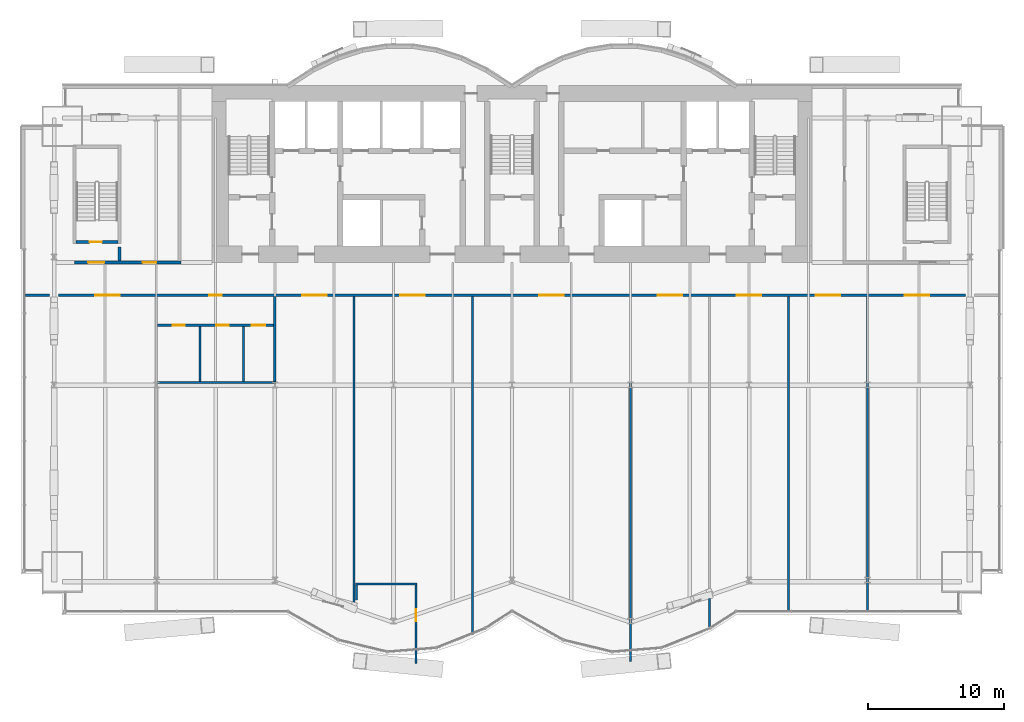
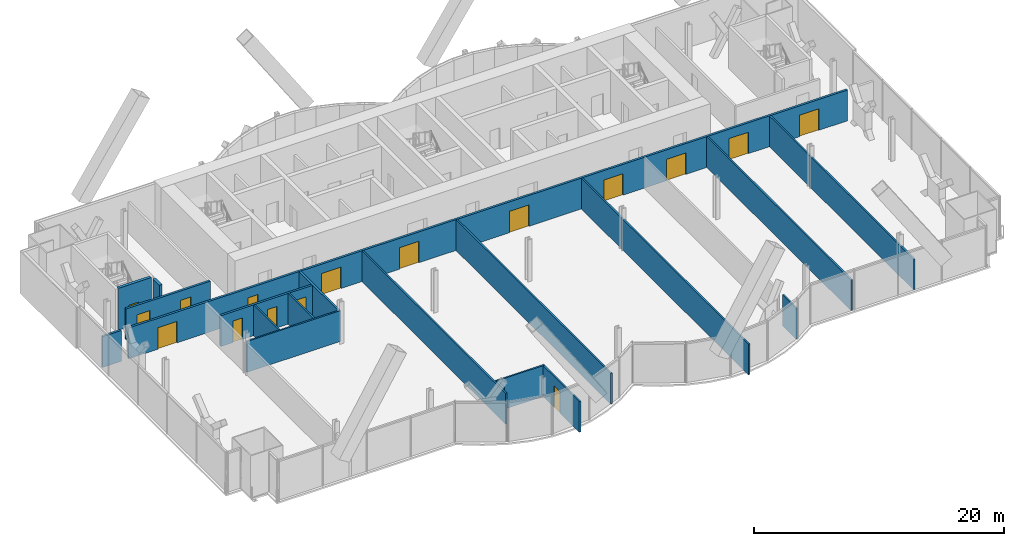
# One storey, part 16 of 22: 19 walls, 16 doors, 16 openings.
"""IFC4 building model written with IfcOpenShell, lengths in metres."""

from ifc_helpers import new_model, si_unit, direction, frame, frame_2d, origin, place, context, subcontext, project, spatial, rectangle, extrude, material, layer, layer_set, type_object, element, fill, save


model = new_model("IFC4")

# Units and contexts
model_context = context("Model", 3, precision=1e-05, world=origin(), true_north=direction((0.0, 1.0)))
body_context = subcontext(model_context, "Body", "Model", "MODEL_VIEW")
ifc_project = project(units=[si_unit("LENGTHUNIT", "METRE"), si_unit("AREAUNIT", "SQUARE_METRE"), si_unit("VOLUMEUNIT", "CUBIC_METRE"), si_unit("PLANEANGLEUNIT", "RADIAN"), si_unit("MASSUNIT", "GRAM", prefix="KILO")], contexts=[model_context])

# Site, building, storey
site_placement = place(None, origin())
site = spatial("IfcSite", under=ifc_project, at=site_placement, CompositionType="ELEMENT")
building_placement = place(site_placement, origin())
building = spatial("IfcBuilding", under=site, at=building_placement, Name="Bicima Exchange Tower", CompositionType="ELEMENT")
storey_placement = place(building_placement, frame((0.0, 0.0, 94.0)))
storey = spatial("IfcBuildingStorey", under=building, at=storey_placement, Name="L19", CompositionType="ELEMENT", Elevation=94.0)

# Wall, openings, doors
ifc_material_1 = material(Name="Gypsum board partition")
ifc_layer_1 = layer(ifc_material_1, 0.199951171875)
ifc_layer_set_1 = layer_set([ifc_layer_1], Name="Gypsum board partition")
wall_type_1 = type_object("IfcWallType", Name="Fire-rated gypsum partition 200 EI60", PredefinedType="PARTITIONING", material=ifc_layer_set_1)
wall_1_placement = place(storey_placement, frame((-26.0, -17.60009765625, 0.0), z_axis=(0.0, 0.0, 1.0), x_axis=(1.0, 0.0, 0.0)))
wall_1 = element("IfcWall", 1, at=wall_1_placement, inside=storey, type_object=wall_type_1, Name="partition wall 3", PredefinedType="PARTITIONING", context=body_context, shape_type="SweptSolid", body=[
    extrude(rectangle(XDim=8.5, YDim=0.199951171875, at=frame_2d((4.25, 0.0))), origin(), (0.0, 0.0, 1.0), 3.018310546875),
])
opening_1_placement = place(wall_1_placement, frame((1.10009765625, 0.0, 0.0)))
opening_1 = element("IfcOpeningElement", 2, at=opening_1_placement, cuts=wall_1, Name="Opening L19-009", PredefinedType="OPENING", context=body_context, shape_type="SweptSolid", body=[
    extrude(rectangle(XDim=0.89990234375, YDim=2.10009765625, at=frame_2d((0.449951171875, 1.050048828125))), frame((0.0, 0.11181640625, 0.0), z_axis=(0.0, -1.0, 0.0), x_axis=(1.0, 0.0, 0.0)), (0.0, 0.0, 1.0), 0.223876953125),
])
opening_2_placement = place(wall_1_placement, frame((4.300048828125, 0.0, 0.0)))
opening_2 = element("IfcOpeningElement", 3, at=opening_2_placement, cuts=wall_1, Name="Opening L19-010", PredefinedType="OPENING", context=body_context, shape_type="SweptSolid", body=[
    extrude(rectangle(XDim=0.89990234375, YDim=2.10009765625, at=frame_2d((0.449951171875, 1.050048828125))), frame((0.0, 0.11181640625, 0.0), z_axis=(0.0, -1.0, 0.0), x_axis=(1.0, 0.0, 0.0)), (0.0, 0.0, 1.0), 0.223876953125),
])
opening_3_placement = place(wall_1_placement, frame((6.89990234375, 0.0, 0.0)))
opening_3 = element("IfcOpeningElement", 4, at=opening_3_placement, cuts=wall_1, Name="Opening L19-011", PredefinedType="OPENING", context=body_context, shape_type="SweptSolid", body=[
    extrude(rectangle(XDim=1.0, YDim=2.10009765625, at=frame_2d((0.5, 1.050048828125))), frame((0.0, 0.11181640625, 0.0), z_axis=(0.0, -1.0, 0.0), x_axis=(1.0, 0.0, 0.0)), (0.0, 0.0, 1.0), 0.223876953125),
])
ifc_material_2 = material(Name="Steel fire door leaf", Category="steel")
door_type_1 = type_object("IfcDoorType", Name="Door 1000 swing FD30S", OperationType="SINGLE_SWING_LEFT", PredefinedType="DOOR", material=ifc_material_2)
door_1_placement = place(opening_3_placement, frame((1.0, 0.0, 0.0), z_axis=(0.0, 0.0, 1.0), x_axis=(-1.0, 0.0, 0.0)))
door_1 = element("IfcDoor", 5, at=door_1_placement, inside=storey, type_object=door_type_1, Name="Door", OperationType="SINGLE_SWING_RIGHT", OverallHeight=2.10009765625, OverallWidth=1.0, PredefinedType="DOOR", context=body_context, shape_type="SweptSolid", body=[
    extrude(rectangle(XDim=1.0, YDim=2.10009765625, at=frame_2d((0.5, 1.050048828125))), frame((0.0, 0.02490234375, 0.0), z_axis=(0.0, -1.0, 0.0), x_axis=(1.0, 0.0, 0.0)), (0.0, 0.0, 1.0), 0.050048828125),
])
fill(opening_3, door_1)
door_type_2 = type_object("IfcDoorType", Name="Door 900 swing FD30S", OperationType="SINGLE_SWING_LEFT", PredefinedType="DOOR", material=ifc_material_2)
door_2_placement = place(opening_1_placement, frame((0.89990234375, 0.0, 0.0), z_axis=(0.0, 0.0, 1.0), x_axis=(-1.0, 0.0, 0.0)))
door_2 = element("IfcDoor", 6, at=door_2_placement, inside=storey, type_object=door_type_2, Name="Door", OperationType="SINGLE_SWING_RIGHT", OverallHeight=2.10009765625, OverallWidth=0.89990234375, PredefinedType="DOOR", context=body_context, shape_type="SweptSolid", body=[
    extrude(rectangle(XDim=0.89990234375, YDim=2.10009765625, at=frame_2d((0.449951171875, 1.050048828125))), frame((0.0, 0.02490234375, 0.0), z_axis=(0.0, -1.0, 0.0), x_axis=(1.0, 0.0, 0.0)), (0.0, 0.0, 1.0), 0.050048828125),
])
fill(opening_1, door_2)
door_3_placement = place(opening_2_placement, frame((0.89990234375, 0.0, 0.0), z_axis=(0.0, 0.0, 1.0), x_axis=(-1.0, 0.0, 0.0)))
door_3 = element("IfcDoor", 7, at=door_3_placement, inside=storey, type_object=door_type_2, Name="Door", OperationType="SINGLE_SWING_LEFT", OverallHeight=2.10009765625, OverallWidth=0.89990234375, PredefinedType="DOOR", context=body_context, shape_type="SweptSolid", body=[
    extrude(rectangle(XDim=0.89990234375, YDim=2.10009765625, at=frame_2d((0.449951171875, 1.050048828125))), frame((0.0, 0.02490234375, 0.0), z_axis=(0.0, -1.0, 0.0), x_axis=(1.0, 0.0, 0.0)), (0.0, 0.0, 1.0), 0.050048828125),
])
fill(opening_2, door_3)

# Wall
wall_2_placement = place(storey_placement, frame((-35.679931640625, -15.39990234375, 0.0), z_axis=(0.0, 0.0, 1.0), x_axis=(1.0, 0.0, 0.0)))
element("IfcWall", 8, at=wall_2_placement, inside=storey, type_object=wall_type_1, Name="partition wall 4", PredefinedType="PARTITIONING", context=body_context, shape_type="SweptSolid", body=[
    extrude(rectangle(XDim=1.75, YDim=0.199951171875, at=frame_2d((0.875, 0.0))), origin(), (0.0, 0.0, 1.0), 3.018310546875),
])

# Wall, openings, doors
wall_3_placement = place(storey_placement, frame((-33.27001953125, -15.39990234375, 0.0), z_axis=(0.0, 0.0, 1.0), x_axis=(1.0, 0.0, 0.0)))
wall_3 = element("IfcWall", 9, at=wall_3_placement, inside=storey, type_object=wall_type_1, Name="partition wall 5", PredefinedType="PARTITIONING", context=body_context, shape_type="SweptSolid", body=[
    extrude(rectangle(XDim=66.5400390625, YDim=0.199951171875, at=frame_2d((33.27001953125, 0.0))), origin(), (0.0, 0.0, 1.0), 3.018310546875),
])
opening_4_placement = place(wall_3_placement, frame((2.699951171875, 0.0, 0.0)))
opening_4 = element("IfcOpeningElement", 10, at=opening_4_placement, cuts=wall_3, Name="Opening L19-007", PredefinedType="OPENING", context=body_context, shape_type="SweptSolid", body=[
    extrude(rectangle(XDim=1.800048828125, YDim=2.10009765625, at=frame_2d((0.89990234375, 1.050048828125))), frame((0.0, 0.11181640625, 0.0), z_axis=(0.0, -1.0, 0.0), x_axis=(1.0, 0.0, 0.0)), (0.0, 0.0, 1.0), 0.223876953125),
])
opening_5_placement = place(wall_3_placement, frame((11.070068359375, 0.0, 0.0)))
opening_5 = element("IfcOpeningElement", 11, at=opening_5_placement, cuts=wall_3, Name="Opening L19-008", PredefinedType="OPENING", context=body_context, shape_type="SweptSolid", body=[
    extrude(rectangle(XDim=0.89990234375, YDim=2.10009765625, at=frame_2d((0.449951171875, 1.050048828125))), frame((0.0, 0.11181640625, 0.0), z_axis=(0.0, -1.0, 0.0), x_axis=(1.0, 0.0, 0.0)), (0.0, 0.0, 1.0), 0.223876953125),
])
opening_6_placement = place(wall_3_placement, frame((17.8701171875, 0.0, 0.0)))
opening_6 = element("IfcOpeningElement", 12, at=opening_6_placement, cuts=wall_3, Name="Opening L19-012", PredefinedType="OPENING", context=body_context, shape_type="SweptSolid", body=[
    extrude(rectangle(XDim=1.800048828125, YDim=2.10009765625, at=frame_2d((0.89990234375, 1.050048828125))), frame((0.0, 0.11181640625, 0.0), z_axis=(0.0, -1.0, 0.0), x_axis=(1.0, 0.0, 0.0)), (0.0, 0.0, 1.0), 0.223876953125),
])
opening_7_placement = place(wall_3_placement, frame((25.070068359375, 0.0, 0.0)))
opening_7 = element("IfcOpeningElement", 13, at=opening_7_placement, cuts=wall_3, Name="Opening L19-013", PredefinedType="OPENING", context=body_context, shape_type="SweptSolid", body=[
    extrude(rectangle(XDim=1.800048828125, YDim=2.10009765625, at=frame_2d((0.89990234375, 1.050048828125))), frame((0.0, 0.11181640625, 0.0), z_axis=(0.0, -1.0, 0.0), x_axis=(1.0, 0.0, 0.0)), (0.0, 0.0, 1.0), 0.223876953125),
])
opening_8_placement = place(wall_3_placement, frame((35.27001953125, 0.0, 0.0)))
opening_8 = element("IfcOpeningElement", 14, at=opening_8_placement, cuts=wall_3, Name="Opening L19-014", PredefinedType="OPENING", context=body_context, shape_type="SweptSolid", body=[
    extrude(rectangle(XDim=1.800048828125, YDim=2.10009765625, at=frame_2d((0.89990234375, 1.050048828125))), frame((0.0, 0.11181640625, 0.0), z_axis=(0.0, -1.0, 0.0), x_axis=(1.0, 0.0, 0.0)), (0.0, 0.0, 1.0), 0.223876953125),
])
opening_9_placement = place(wall_3_placement, frame((43.969970703125, 0.0, 0.0)))
opening_9 = element("IfcOpeningElement", 15, at=opening_9_placement, cuts=wall_3, Name="Opening L19-015", PredefinedType="OPENING", context=body_context, shape_type="SweptSolid", body=[
    extrude(rectangle(XDim=1.800048828125, YDim=2.10009765625, at=frame_2d((0.89990234375, 1.050048828125))), frame((0.0, 0.11181640625, 0.0), z_axis=(0.0, -1.0, 0.0), x_axis=(1.0, 0.0, 0.0)), (0.0, 0.0, 1.0), 0.223876953125),
])
opening_10_placement = place(wall_3_placement, frame((49.77001953125, 0.0, 0.0)))
opening_10 = element("IfcOpeningElement", 16, at=opening_10_placement, cuts=wall_3, Name="Opening L19-016", PredefinedType="OPENING", context=body_context, shape_type="SweptSolid", body=[
    extrude(rectangle(XDim=1.800048828125, YDim=2.10009765625, at=frame_2d((0.89990234375, 1.050048828125))), frame((0.0, 0.11181640625, 0.0), z_axis=(0.0, -1.0, 0.0), x_axis=(1.0, 0.0, 0.0)), (0.0, 0.0, 1.0), 0.223876953125),
])
opening_11_placement = place(wall_3_placement, frame((55.570068359375, 0.0, 0.0)))
opening_11 = element("IfcOpeningElement", 17, at=opening_11_placement, cuts=wall_3, Name="Opening L19-017", PredefinedType="OPENING", context=body_context, shape_type="SweptSolid", body=[
    extrude(rectangle(XDim=1.800048828125, YDim=2.10009765625, at=frame_2d((0.89990234375, 1.050048828125))), frame((0.0, 0.11181640625, 0.0), z_axis=(0.0, -1.0, 0.0), x_axis=(1.0, 0.0, 0.0)), (0.0, 0.0, 1.0), 0.223876953125),
])
opening_12_placement = place(wall_3_placement, frame((62.070068359375, 0.0, 0.0)))
opening_12 = element("IfcOpeningElement", 18, at=opening_12_placement, cuts=wall_3, Name="Opening L19-018", PredefinedType="OPENING", context=body_context, shape_type="SweptSolid", body=[
    extrude(rectangle(XDim=1.800048828125, YDim=2.10009765625, at=frame_2d((0.89990234375, 1.050048828125))), frame((0.0, 0.11181640625, 0.0), z_axis=(0.0, -1.0, 0.0), x_axis=(1.0, 0.0, 0.0)), (0.0, 0.0, 1.0), 0.223876953125),
])
door_type_3 = type_object("IfcDoorType", Name="Door 1800 double swing FD30S", OperationType="DOUBLE_DOOR_SINGLE_SWING", PredefinedType="DOOR", material=ifc_material_2)
door_4_placement = place(opening_4_placement, origin())
door_4 = element("IfcDoor", 19, at=door_4_placement, inside=storey, type_object=door_type_3, Name="Door", OperationType="SINGLE_SWING_LEFT", OverallHeight=2.10009765625, OverallWidth=1.800048828125, PredefinedType="DOOR", context=body_context, shape_type="SweptSolid", body=[
    extrude(rectangle(XDim=1.800048828125, YDim=2.10009765625, at=frame_2d((0.89990234375, 1.050048828125))), frame((0.0, 0.02490234375, 0.0), z_axis=(0.0, -1.0, 0.0), x_axis=(1.0, 0.0, 0.0)), (0.0, 0.0, 1.0), 0.050048828125),
])
fill(opening_4, door_4)
door_5_placement = place(opening_6_placement, origin())
door_5 = element("IfcDoor", 20, at=door_5_placement, inside=storey, type_object=door_type_3, Name="Door", OperationType="SINGLE_SWING_LEFT", OverallHeight=2.10009765625, OverallWidth=1.800048828125, PredefinedType="DOOR", context=body_context, shape_type="SweptSolid", body=[
    extrude(rectangle(XDim=1.800048828125, YDim=2.10009765625, at=frame_2d((0.89990234375, 1.050048828125))), frame((0.0, 0.02490234375, 0.0), z_axis=(0.0, -1.0, 0.0), x_axis=(1.0, 0.0, 0.0)), (0.0, 0.0, 1.0), 0.050048828125),
])
fill(opening_6, door_5)
door_6_placement = place(opening_7_placement, origin())
door_6 = element("IfcDoor", 21, at=door_6_placement, inside=storey, type_object=door_type_3, Name="Door", OperationType="SINGLE_SWING_LEFT", OverallHeight=2.10009765625, OverallWidth=1.800048828125, PredefinedType="DOOR", context=body_context, shape_type="SweptSolid", body=[
    extrude(rectangle(XDim=1.800048828125, YDim=2.10009765625, at=frame_2d((0.89990234375, 1.050048828125))), frame((0.0, 0.02490234375, 0.0), z_axis=(0.0, -1.0, 0.0), x_axis=(1.0, 0.0, 0.0)), (0.0, 0.0, 1.0), 0.050048828125),
])
fill(opening_7, door_6)
door_7_placement = place(opening_8_placement, origin())
door_7 = element("IfcDoor", 22, at=door_7_placement, inside=storey, type_object=door_type_3, Name="Door", OperationType="SINGLE_SWING_LEFT", OverallHeight=2.10009765625, OverallWidth=1.800048828125, PredefinedType="DOOR", context=body_context, shape_type="SweptSolid", body=[
    extrude(rectangle(XDim=1.800048828125, YDim=2.10009765625, at=frame_2d((0.89990234375, 1.050048828125))), frame((0.0, 0.02490234375, 0.0), z_axis=(0.0, -1.0, 0.0), x_axis=(1.0, 0.0, 0.0)), (0.0, 0.0, 1.0), 0.050048828125),
])
fill(opening_8, door_7)
door_8_placement = place(opening_9_placement, origin())
door_8 = element("IfcDoor", 23, at=door_8_placement, inside=storey, type_object=door_type_3, Name="Door", OperationType="SINGLE_SWING_LEFT", OverallHeight=2.10009765625, OverallWidth=1.800048828125, PredefinedType="DOOR", context=body_context, shape_type="SweptSolid", body=[
    extrude(rectangle(XDim=1.800048828125, YDim=2.10009765625, at=frame_2d((0.89990234375, 1.050048828125))), frame((0.0, 0.02490234375, 0.0), z_axis=(0.0, -1.0, 0.0), x_axis=(1.0, 0.0, 0.0)), (0.0, 0.0, 1.0), 0.050048828125),
])
fill(opening_9, door_8)
door_9_placement = place(opening_10_placement, origin())
door_9 = element("IfcDoor", 24, at=door_9_placement, inside=storey, type_object=door_type_3, Name="Door", OperationType="SINGLE_SWING_LEFT", OverallHeight=2.10009765625, OverallWidth=1.800048828125, PredefinedType="DOOR", context=body_context, shape_type="SweptSolid", body=[
    extrude(rectangle(XDim=1.800048828125, YDim=2.10009765625, at=frame_2d((0.89990234375, 1.050048828125))), frame((0.0, 0.02490234375, 0.0), z_axis=(0.0, -1.0, 0.0), x_axis=(1.0, 0.0, 0.0)), (0.0, 0.0, 1.0), 0.050048828125),
])
fill(opening_10, door_9)
door_10_placement = place(opening_11_placement, origin())
door_10 = element("IfcDoor", 25, at=door_10_placement, inside=storey, type_object=door_type_3, Name="Door", OperationType="SINGLE_SWING_LEFT", OverallHeight=2.10009765625, OverallWidth=1.800048828125, PredefinedType="DOOR", context=body_context, shape_type="SweptSolid", body=[
    extrude(rectangle(XDim=1.800048828125, YDim=2.10009765625, at=frame_2d((0.89990234375, 1.050048828125))), frame((0.0, 0.02490234375, 0.0), z_axis=(0.0, -1.0, 0.0), x_axis=(1.0, 0.0, 0.0)), (0.0, 0.0, 1.0), 0.050048828125),
])
fill(opening_11, door_10)
door_11_placement = place(opening_12_placement, origin())
door_11 = element("IfcDoor", 26, at=door_11_placement, inside=storey, type_object=door_type_3, Name="Door", OperationType="SINGLE_SWING_LEFT", OverallHeight=2.10009765625, OverallWidth=1.800048828125, PredefinedType="DOOR", context=body_context, shape_type="SweptSolid", body=[
    extrude(rectangle(XDim=1.800048828125, YDim=2.10009765625, at=frame_2d((0.89990234375, 1.050048828125))), frame((0.0, 0.02490234375, 0.0), z_axis=(0.0, -1.0, 0.0), x_axis=(1.0, 0.0, 0.0)), (0.0, 0.0, 1.0), 0.050048828125),
])
fill(opening_12, door_11)
door_12_placement = place(opening_5_placement, frame((0.89990234375, 0.0, 0.0), z_axis=(0.0, 0.0, 1.0), x_axis=(-1.0, 0.0, 0.0)))
door_12 = element("IfcDoor", 27, at=door_12_placement, inside=storey, type_object=door_type_2, Name="Door", OperationType="SINGLE_SWING_RIGHT", OverallHeight=2.10009765625, OverallWidth=0.89990234375, PredefinedType="DOOR", context=body_context, shape_type="SweptSolid", body=[
    extrude(rectangle(XDim=0.89990234375, YDim=2.10009765625, at=frame_2d((0.449951171875, 1.050048828125))), frame((0.0, 0.02490234375, 0.0), z_axis=(0.0, -1.0, 0.0), x_axis=(1.0, 0.0, 0.0)), (0.0, 0.0, 1.0), 0.050048828125),
])
fill(opening_5, door_12)

wall_4_placement = place(storey_placement, frame((-32.10009765625, -13.0, 0.0), z_axis=(0.0, 0.0, 1.0), x_axis=(1.0, 0.0, 0.0)))
wall_4 = element("IfcWall", 28, at=wall_4_placement, inside=storey, type_object=wall_type_1, Name="partition wall 7", PredefinedType="PARTITIONING", context=body_context, shape_type="SweptSolid", body=[
    extrude(rectangle(XDim=7.800048828125, YDim=0.199951171875, at=frame_2d((3.89990234375, 0.0))), origin(), (0.0, 0.0, 1.0), 3.018310546875),
])
opening_13_placement = place(wall_4_placement, frame((1.0, 0.0, 0.0)))
opening_13 = element("IfcOpeningElement", 29, at=opening_13_placement, cuts=wall_4, Name="Opening L19-001", PredefinedType="OPENING", context=body_context, shape_type="SweptSolid", body=[
    extrude(rectangle(XDim=1.199951171875, YDim=2.10009765625, at=frame_2d((0.60009765625, 1.050048828125))), frame((0.0, 0.11181640625, 0.0), z_axis=(0.0, -1.0, 0.0), x_axis=(1.0, 0.0, 0.0)), (0.0, 0.0, 1.0), 0.223876953125),
])
opening_14_placement = place(wall_4_placement, frame((5.0, 0.0, 0.0)))
opening_14 = element("IfcOpeningElement", 30, at=opening_14_placement, cuts=wall_4, Name="Opening L19-005", PredefinedType="OPENING", context=body_context, shape_type="SweptSolid", body=[
    extrude(rectangle(XDim=1.0, YDim=2.10009765625, at=frame_2d((0.5, 1.050048828125))), frame((0.0, 0.11181640625, 0.0), z_axis=(0.0, -1.0, 0.0), x_axis=(1.0, 0.0, 0.0)), (0.0, 0.0, 1.0), 0.223876953125),
])
door_13_placement = place(opening_14_placement, origin())
door_13 = element("IfcDoor", 31, at=door_13_placement, inside=storey, type_object=door_type_1, Name="Door", OperationType="SINGLE_SWING_LEFT", OverallHeight=2.10009765625, OverallWidth=1.0, PredefinedType="DOOR", context=body_context, shape_type="SweptSolid", body=[
    extrude(rectangle(XDim=1.0, YDim=2.10009765625, at=frame_2d((0.5, 1.050048828125))), frame((0.0, 0.02490234375, 0.0), z_axis=(0.0, -1.0, 0.0), x_axis=(1.0, 0.0, 0.0)), (0.0, 0.0, 1.0), 0.050048828125),
])
fill(opening_14, door_13)
door_type_4 = type_object("IfcDoorType", Name="Door 1200 swing FD30S", OperationType="SINGLE_SWING_LEFT", PredefinedType="DOOR", material=ifc_material_2)
door_14_placement = place(opening_13_placement, origin())
door_14 = element("IfcDoor", 32, at=door_14_placement, inside=storey, type_object=door_type_4, Name="Door", OperationType="SINGLE_SWING_LEFT", OverallHeight=2.10009765625, OverallWidth=1.199951171875, PredefinedType="DOOR", context=body_context, shape_type="SweptSolid", body=[
    extrude(rectangle(XDim=1.199951171875, YDim=2.10009765625, at=frame_2d((0.60009765625, 1.050048828125))), frame((0.0, 0.02490234375, 0.0), z_axis=(0.0, -1.0, 0.0), x_axis=(1.0, 0.0, 0.0)), (0.0, 0.0, 1.0), 0.050048828125),
])
fill(opening_13, door_14)

# Walls
wall_5_placement = place(storey_placement, frame((-17.39990234375, -21.72509765625, 0.0), z_axis=(0.0, 0.0, 1.0), x_axis=(0.0, 1.0, 0.0)))
element("IfcWall", 33, at=wall_5_placement, inside=storey, type_object=wall_type_1, Name="partition wall 21", PredefinedType="PARTITIONING", context=body_context, shape_type="SweptSolid", body=[
    extrude(rectangle(XDim=6.22509765625, YDim=0.199951171875, at=frame_2d((3.112548828125, 0.0))), origin(), (0.0, 0.0, 1.0), 3.018310546875),
])
ifc_layer_2 = layer(ifc_material_1, 0.14990234375)
ifc_layer_set_2 = layer_set([ifc_layer_2], Name="Gypsum board partition")
wall_type_2 = type_object("IfcWallType", Name="Gypsum partition 150", PredefinedType="PARTITIONING", material=ifc_layer_set_2)
wall_6_placement = place(storey_placement, frame((-11.47509765625, -36.580078125, 0.0), z_axis=(0.0, 0.0, 1.0), x_axis=(1.0, 0.0, 0.0)))
element("IfcWall", 34, at=wall_6_placement, inside=storey, type_object=wall_type_2, Name="partition wall 1", PredefinedType="PARTITIONING", context=body_context, shape_type="SweptSolid", body=[
    extrude(rectangle(XDim=4.5, YDim=0.14990234375, at=frame_2d((2.25, 0.0))), origin(), (0.0, 0.0, 1.0), 3.018310546875),
])
wall_7_placement = place(storey_placement, frame((-26.0, -21.800048828125, 0.0), z_axis=(0.0, 0.0, 1.0), x_axis=(1.0, 0.0, 0.0)))
element("IfcWall", 35, at=wall_7_placement, inside=storey, type_object=wall_type_2, Name="partition wall 2", PredefinedType="PARTITIONING", context=body_context, shape_type="SweptSolid", body=[
    extrude(rectangle(XDim=8.699951171875, YDim=0.14990234375, at=frame_2d((4.35009765625, 0.0))), origin(), (0.0, 0.0, 1.0), 3.018310546875),
])
for number, where, z_axis, x_axis, name in (
    (36, (-22.89990234375, -21.72509765625, 0.0), (0.0, 0.0, 1.0), (0.0, 1.0, 0.0), "partition wall 19"),
    (37, (-19.699951171875, -21.72509765625, 0.0), (0.0, 0.0, 1.0), (0.0, 1.0, 0.0), "partition wall 20"),
):
    element("IfcWall", number, at=place(storey_placement, frame(where, z_axis=z_axis, x_axis=x_axis)), inside=storey, type_object=wall_type_2, Name=name, PredefinedType="PARTITIONING", context=body_context, shape_type="SweptSolid", body=[
        extrude(rectangle(XDim=4.025146484375, YDim=0.14990234375, at=frame_2d((2.0126953125, 0.0))), origin(), (0.0, 0.0, 1.0), 3.018310546875),
    ])
wall_8_placement = place(storey_placement, frame((-11.60009765625, -38.51513671875, 0.0), z_axis=(0.0, 0.0, 1.0), x_axis=(0.0, 1.0, 0.0)))
element("IfcWall", 38, at=wall_8_placement, inside=storey, type_object=wall_type_2, Name="partition wall 22", PredefinedType="PARTITIONING", context=body_context, shape_type="SweptSolid", body=[
    extrude(rectangle(XDim=23.01513671875, YDim=0.14990234375, at=frame_2d((11.507568359375, 0.0))), origin(), (0.0, 0.0, 1.0), 3.018310546875),
])
wall_9_placement = place(storey_placement, frame((-11.39990234375, -37.760009765625, 0.0), z_axis=(0.0, 0.0, 1.0), x_axis=(0.0, 1.0, 0.0)))
element("IfcWall", 39, at=wall_9_placement, inside=storey, type_object=wall_type_2, Name="partition wall 23", PredefinedType="PARTITIONING", context=body_context, shape_type="SweptSolid", body=[
    extrude(rectangle(XDim=1.10498046875, YDim=0.14990234375, at=frame_2d((0.552490234375, 0.0))), origin(), (0.0, 0.0, 1.0), 3.018310546875),
])

# Wall, opening, door
wall_10_placement = place(storey_placement, frame((-7.050048828125, -42.4326171875, 0.0), z_axis=(0.0, 0.0, 1.0), x_axis=(0.0, 1.0, 0.0)))
wall_10 = element("IfcWall", 40, at=wall_10_placement, inside=storey, type_object=wall_type_2, Name="partition wall 24", PredefinedType="PARTITIONING", context=body_context, shape_type="SweptSolid", body=[
    extrude(rectangle(XDim=5.777587890625, YDim=0.14990234375, at=frame_2d((2.888671875, 0.0))), origin(), (0.0, 0.0, 1.0), 3.018310546875),
])
opening_15_placement = place(wall_10_placement, frame((3.10302734375, 0.0, 0.0)))
opening_15 = element("IfcOpeningElement", 41, at=opening_15_placement, cuts=wall_10, Name="Opening L19-019", PredefinedType="OPENING", context=body_context, shape_type="SweptSolid", body=[
    extrude(rectangle(XDim=0.89990234375, YDim=2.10009765625, at=frame_2d((0.449951171875, 1.050048828125))), frame((0.0, 0.0869140625, 0.0), z_axis=(0.0, -1.0, 0.0), x_axis=(1.0, 0.0, 0.0)), (0.0, 0.0, 1.0), 0.173828125),
])
ifc_material_3 = material(Name="Timber door leaf", Category="wood")
door_type_5 = type_object("IfcDoorType", Name="Door 900 swing", OperationType="SINGLE_SWING_LEFT", PredefinedType="DOOR", material=ifc_material_3)
door_15_placement = place(opening_15_placement, origin())
door_15 = element("IfcDoor", 42, at=door_15_placement, inside=storey, type_object=door_type_5, Name="Door", OperationType="SINGLE_SWING_LEFT", OverallHeight=2.10009765625, OverallWidth=0.89990234375, PredefinedType="DOOR", context=body_context, shape_type="SweptSolid", body=[
    extrude(rectangle(XDim=0.89990234375, YDim=2.10009765625, at=frame_2d((0.449951171875, 1.050048828125))), frame((0.0, 0.02490234375, 0.0), z_axis=(0.0, -1.0, 0.0), x_axis=(1.0, 0.0, 0.0)), (0.0, 0.0, 1.0), 0.050048828125),
])
fill(opening_15, door_15)

# Walls
wall_11_placement = place(storey_placement, frame((-2.89990234375, -40.300048828125, 0.0), z_axis=(0.0, 0.0, 1.0), x_axis=(0.0, 1.0, 0.0)))
element("IfcWall", 43, at=wall_11_placement, inside=storey, type_object=wall_type_2, Name="partition wall 25", PredefinedType="PARTITIONING", context=body_context, shape_type="SweptSolid", body=[
    extrude(rectangle(XDim=24.800048828125, YDim=0.14990234375, at=frame_2d((12.39990234375, 0.0))), origin(), (0.0, 0.0, 1.0), 3.018310546875),
])
wall_12_placement = place(storey_placement, frame((8.699951171875, -42.266357421875, 0.0), z_axis=(0.0, 0.0, 1.0), x_axis=(0.0, 1.0, 0.0)))
element("IfcWall", 44, at=wall_12_placement, inside=storey, type_object=wall_type_2, Name="partition wall 26", PredefinedType="PARTITIONING", context=body_context, shape_type="SweptSolid", body=[
    extrude(rectangle(XDim=26.766357421875, YDim=0.14990234375, at=frame_2d((13.38330078125, 0.0))), origin(), (0.0, 0.0, 1.0), 3.018310546875),
])
wall_13_placement = place(storey_placement, frame((14.5, -39.860107421875, 0.0), z_axis=(0.0, 0.0, 1.0), x_axis=(0.0, 1.0, 0.0)))
element("IfcWall", 45, at=wall_13_placement, inside=storey, type_object=wall_type_2, Name="partition wall 27", PredefinedType="PARTITIONING", context=body_context, shape_type="SweptSolid", body=[
    extrude(rectangle(XDim=2.19921875, YDim=0.14990234375, at=frame_2d((1.099609375, 0.0))), origin(), (0.0, 0.0, 1.0), 3.018310546875),
])
for number, where, z_axis, x_axis, name in (
    (46, (20.300048828125, -38.6201171875, 0.0), (0.0, 0.0, 1.0), (0.0, 1.0, 0.0), "partition wall 29"),
    (47, (26.10009765625, -38.6201171875, 0.0), (0.0, 0.0, 1.0), (0.0, 1.0, 0.0), "partition wall 31"),
):
    element("IfcWall", number, at=place(storey_placement, frame(where, z_axis=z_axis, x_axis=x_axis)), inside=storey, type_object=wall_type_2, Name=name, PredefinedType="PARTITIONING", context=body_context, shape_type="SweptSolid", body=[
        extrude(rectangle(XDim=23.1201171875, YDim=0.14990234375, at=frame_2d((11.56005859375, 0.0))), origin(), (0.0, 0.0, 1.0), 3.018310546875),
    ])
ifc_material_4 = material(Name="Concrete C50/60", Category="concrete")
ifc_layer_3 = layer(ifc_material_4, 0.25)
ifc_layer_set_3 = layer_set([ifc_layer_3], Name="Concrete C50/60")
wall_type_3 = type_object("IfcWallType", Name="RC core wall 250 C50/60", PredefinedType="SHEAR", material=ifc_layer_set_3)
wall_14_placement = place(storey_placement, frame((-28.800048828125, -12.89990234375, 0.0), z_axis=(0.0, 0.0, 1.0), x_axis=(0.0, 1.0, 0.0)))
element("IfcWall", 48, at=wall_14_placement, inside=storey, type_object=wall_type_3, Name="stair wall 16", PredefinedType="SHEAR", context=body_context, shape_type="SweptSolid", body=[
    extrude(rectangle(XDim=1.0498046875, YDim=0.25, at=frame_2d((0.52490234375, 0.0))), origin(), (0.0, 0.0, 1.0), 4.10009765625),
])

# Wall, opening, door
ifc_layer_4 = layer(ifc_material_4, 0.25)
ifc_layer_set_4 = layer_set([ifc_layer_4], Name="Concrete C50/60")
wall_type_4 = type_object("IfcWallType", Name="RC stair enclosure wall 250 C50/60", PredefinedType="SHEAR", material=ifc_layer_set_4)
wall_15_placement = place(storey_placement, frame((-31.97509765625, -11.5, 0.0), z_axis=(0.0, 0.0, 1.0), x_axis=(1.0, 0.0, 0.0)))
wall_15 = element("IfcWall", 49, at=wall_15_placement, inside=storey, type_object=wall_type_4, Name="West end exit stair wall S", PredefinedType="SHEAR", context=body_context, shape_type="SweptSolid", body=[
    extrude(rectangle(XDim=3.050048828125, YDim=0.25, at=frame_2d((1.52490234375, 0.0))), origin(), (0.0, 0.0, 1.0), 4.10009765625),
])
opening_16_placement = place(wall_15_placement, frame((0.97509765625, 0.0, 0.0)))
opening_16 = element("IfcOpeningElement", 50, at=opening_16_placement, cuts=wall_15, Name="Opening L19-002", PredefinedType="OPENING", context=body_context, shape_type="SweptSolid", body=[
    extrude(rectangle(XDim=0.89990234375, YDim=2.10009765625, at=frame_2d((0.449951171875, 1.050048828125))), frame((0.0, 0.136962890625, 0.0), z_axis=(0.0, -1.0, 0.0), x_axis=(1.0, 0.0, 0.0)), (0.0, 0.0, 1.0), 0.27392578125),
])
door_type_6 = type_object("IfcDoorType", Name="Door 900 swing FD60S", OperationType="SINGLE_SWING_LEFT", PredefinedType="DOOR", material=ifc_material_2)
door_16_placement = place(opening_16_placement, origin())
door_16 = element("IfcDoor", 51, at=door_16_placement, inside=storey, type_object=door_type_6, Name="Door", OperationType="SINGLE_SWING_LEFT", OverallHeight=2.10009765625, OverallWidth=0.89990234375, PredefinedType="DOOR", context=body_context, shape_type="SweptSolid", body=[
    extrude(rectangle(XDim=0.89990234375, YDim=2.10009765625, at=frame_2d((0.449951171875, 1.050048828125))), frame((0.0, 0.02490234375, 0.0), z_axis=(0.0, -1.0, 0.0), x_axis=(1.0, 0.0, 0.0)), (0.0, 0.0, 1.0), 0.050048828125),
])
fill(opening_16, door_16)

save(model, "model.ifc")
